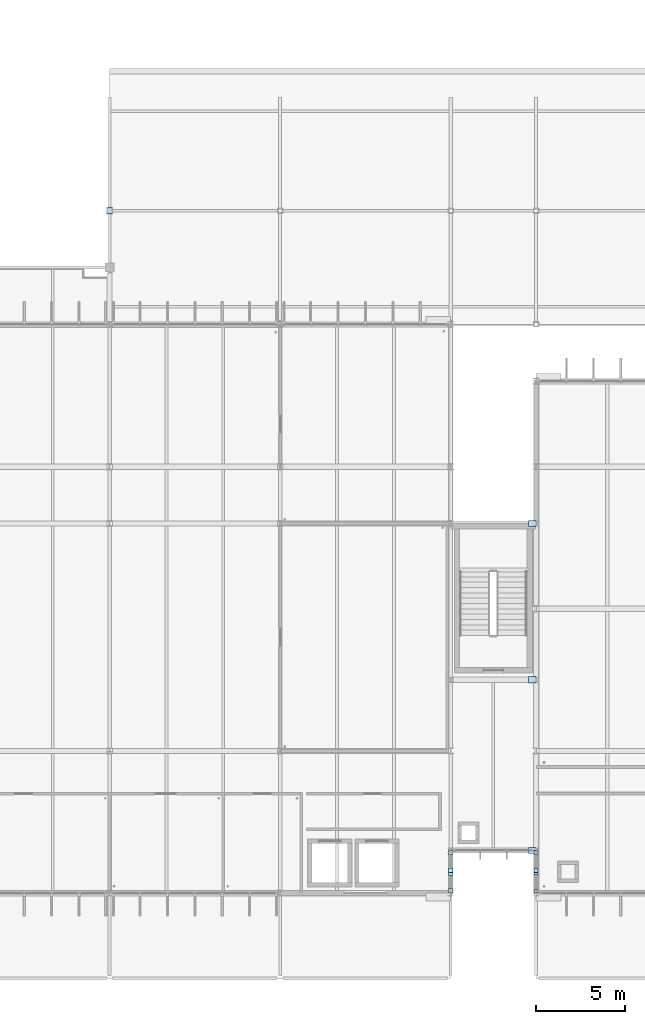
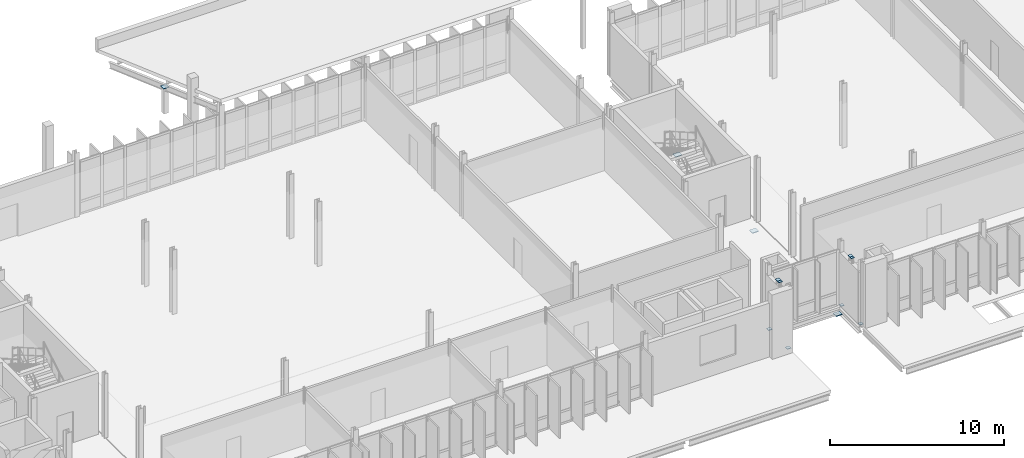
# One storey, part 57 of 107: 12 plates.
"""IFC4 building model written with IfcOpenShell, lengths in metres."""

from ifc_helpers import new_model, si_unit, direction, frame, origin, origin_2d, place, context, subcontext, project, spatial, rectangle, extrude, material, layer, layer_set, type_object, element, save


model = new_model("IFC4")

# Units and contexts
model_context = context("Model", 3, precision=1e-05, world=origin(), true_north=direction((0.0, 1.0)))
body_context = subcontext(model_context, "Body", "Model", "MODEL_VIEW")
ifc_project = project(units=[si_unit("LENGTHUNIT", "METRE"), si_unit("AREAUNIT", "SQUARE_METRE"), si_unit("VOLUMEUNIT", "CUBIC_METRE"), si_unit("PLANEANGLEUNIT", "RADIAN"), si_unit("MASSUNIT", "GRAM", prefix="KILO")], contexts=[model_context])

# Site, building, storey
site_placement = place(None, origin())
site = spatial("IfcSite", under=ifc_project, at=site_placement, CompositionType="ELEMENT")
building_placement = place(site_placement, origin())
building = spatial("IfcBuilding", under=site, at=building_placement, Name="Dunescarp Central Library", CompositionType="ELEMENT")
storey_placement = place(building_placement, frame((0.0, 0.0, 5.10009765625)))
storey = spatial("IfcBuildingStorey", under=building, at=storey_placement, Name="L01", CompositionType="ELEMENT", Elevation=5.10009765625)

# Plates
ifc_material = material(Name="Steel S355J0", Category="steel")
ifc_layer_1 = layer(ifc_material, 0.035888671875)
ifc_layer_set_1 = layer_set([ifc_layer_1], Name="Steel S355J0")
plate_type_1 = type_object("IfcPlateType", Name="STR-PLT-ECP1", PredefinedType="USERDEFINED", material=ifc_layer_set_1)
plate_placement = place(storey_placement, frame((57.60009765625, 43.199951171875, 1.77001953125), z_axis=(0.0, 0.0, 1.0), x_axis=(1.0, 0.0, 0.0)))
element("IfcPlate", 1, at=plate_placement, inside=storey, type_object=plate_type_1, Name="Column top cap plate ECP-C025", ObjectType="GUSSET_PLATE", PredefinedType="USERDEFINED", context=body_context, shape_type="SweptSolid", body=[
    extrude(rectangle(XDim=0.360107421875, YDim=0.360107421875, at=origin_2d()), origin(), (0.0, 0.0, 1.0), 0.035888671875),
])
ifc_layer_2 = layer(ifc_material, 0.02001953125)
ifc_layer_set_2 = layer_set([ifc_layer_2], Name="Steel S355J0")
plate_type_2 = type_object("IfcPlateType", Name="STR-PLT-GUS1", PredefinedType="USERDEFINED", material=ifc_layer_set_2)
for number, where, z_axis, x_axis, name in (
    (2, (76.800048828125, 4.919921875, -0.01806640625), (0.0, 0.0, 1.0), (1.0, 0.0, 0.0), "Brace foot gusset plate GP-049"),
    (3, (76.800048828125, 7.080078125, -0.01806640625), (0.0, 0.0, 1.0), (1.0, 0.0, 0.0), "Brace foot gusset plate GP-051"),
):
    element("IfcPlate", number, at=place(storey_placement, frame(where, z_axis=z_axis, x_axis=x_axis)), inside=storey, type_object=plate_type_2, Name=name, ObjectType="GUSSET_PLATE", PredefinedType="USERDEFINED", context=body_context, shape_type="SweptSolid", body=[
        extrude(rectangle(XDim=0.25390625, YDim=0.25390625, at=origin_2d()), origin(), (0.0, 0.0, 1.0), 0.035888671875),
    ])
for number, where, z_axis, x_axis, name in (
    (4, (81.60009765625, 4.919921875, -0.01806640625), (0.0, 0.0, 1.0), (1.0, 0.0, 0.0), "Brace foot gusset plate GP-069"),
    (5, (81.60009765625, 7.080078125, -0.01806640625), (0.0, 0.0, 1.0), (1.0, 0.0, 0.0), "Brace foot gusset plate GP-071"),
):
    element("IfcPlate", number, at=place(storey_placement, frame(where, z_axis=z_axis, x_axis=x_axis)), inside=storey, type_object=plate_type_2, Name=name, ObjectType="GUSSET_PLATE", PredefinedType="USERDEFINED", context=body_context, shape_type="SweptSolid", body=[
        extrude(rectangle(XDim=0.22802734375, YDim=0.22802734375, at=origin_2d()), origin(), (0.0, 0.0, 1.0), 0.035888671875),
    ])
ifc_layer_3 = layer(ifc_material, 0.01611328125)
ifc_layer_set_3 = layer_set([ifc_layer_3], Name="Steel S355J0")
plate_type_3 = type_object("IfcPlateType", Name="STR-PLT-GUS2", PredefinedType="USERDEFINED", material=ifc_layer_set_3)
for number, where, z_axis, x_axis, name in (
    (6, (76.800048828125, 5.919921875, 4.03173828125), (0.0, 0.0, 1.0), (1.0, 0.0, 0.0), "Brace apex gusset plate GP-050"),
    (7, (76.800048828125, 6.080078125, 4.03173828125), (0.0, 0.0, 1.0), (1.0, 0.0, 0.0), "Brace apex gusset plate GP-052"),
):
    element("IfcPlate", number, at=place(storey_placement, frame(where, z_axis=z_axis, x_axis=x_axis)), inside=storey, type_object=plate_type_3, Name=name, ObjectType="GUSSET_PLATE", PredefinedType="USERDEFINED", context=body_context, shape_type="SweptSolid", body=[
        extrude(rectangle(XDim=0.25390625, YDim=0.25390625, at=origin_2d()), origin(), (0.0, 0.0, 1.0), 0.035888671875),
    ])
for number, where, z_axis, x_axis, name in (
    (8, (81.60009765625, 5.919921875, 4.03173828125), (0.0, 0.0, 1.0), (1.0, 0.0, 0.0), "Brace apex gusset plate GP-070"),
    (9, (81.60009765625, 6.080078125, 4.03173828125), (0.0, 0.0, 1.0), (1.0, 0.0, 0.0), "Brace apex gusset plate GP-072"),
):
    element("IfcPlate", number, at=place(storey_placement, frame(where, z_axis=z_axis, x_axis=x_axis)), inside=storey, type_object=plate_type_3, Name=name, ObjectType="GUSSET_PLATE", PredefinedType="USERDEFINED", context=body_context, shape_type="SweptSolid", body=[
        extrude(rectangle(XDim=0.22802734375, YDim=0.22802734375, at=origin_2d()), origin(), (0.0, 0.0, 1.0), 0.035888671875),
    ])
ifc_layer_4 = layer(ifc_material, 0.0400390625)
ifc_layer_set_4 = layer_set([ifc_layer_4], Name="Steel S355J0")
plate_type_4 = type_object("IfcPlateType", Name="STR-PLT-SEAT420", PredefinedType="USERDEFINED", material=ifc_layer_set_4)
for number, where, z_axis, x_axis, name in (
    (10, (81.389892578125, 7.199951171875, -0.650146484375), (0.0, 0.0, 1.0), (1.0, 0.0, 0.0), "L01 GL2 420 mm sliding link bearing seat BRG-02"),
    (11, (81.389892578125, 16.800048828125, -0.650146484375), (0.0, 0.0, 1.0), (1.0, 0.0, 0.0), "L01 GL2 420 mm sliding link bearing seat BRG-02"),
    (12, (81.389892578125, 25.60009765625, -0.650146484375), (0.0, 0.0, 1.0), (1.0, 0.0, 0.0), "L01 GL2 420 mm sliding link bearing seat BRG-02"),
):
    element("IfcPlate", number, at=place(storey_placement, frame(where, z_axis=z_axis, x_axis=x_axis)), inside=storey, type_object=plate_type_4, Name=name, ObjectType="BASE_PLATE", PredefinedType="USERDEFINED", context=body_context, shape_type="SweptSolid", body=[
        extrude(rectangle(XDim=0.419921875, YDim=0.360107421875, at=origin_2d()), origin(), (0.0, 0.0, 1.0), 0.0400390625),
    ])

save(model, "model.ifc")
